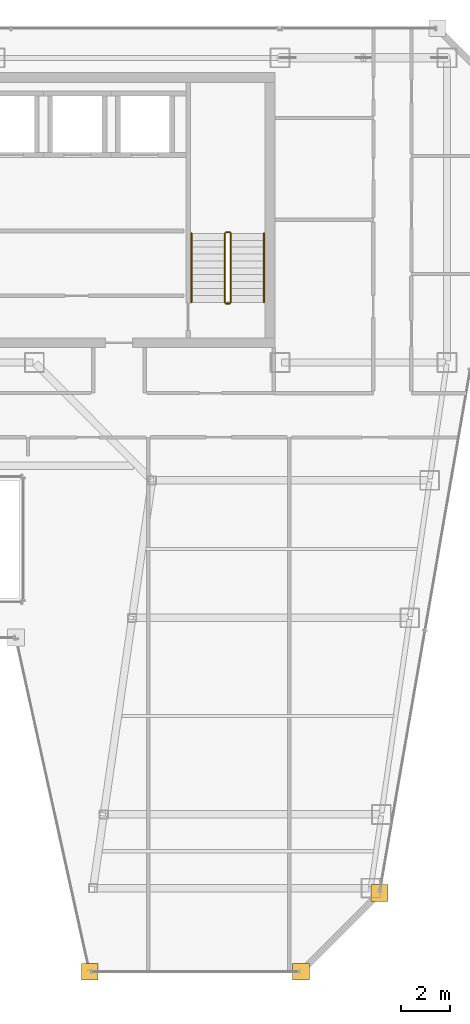
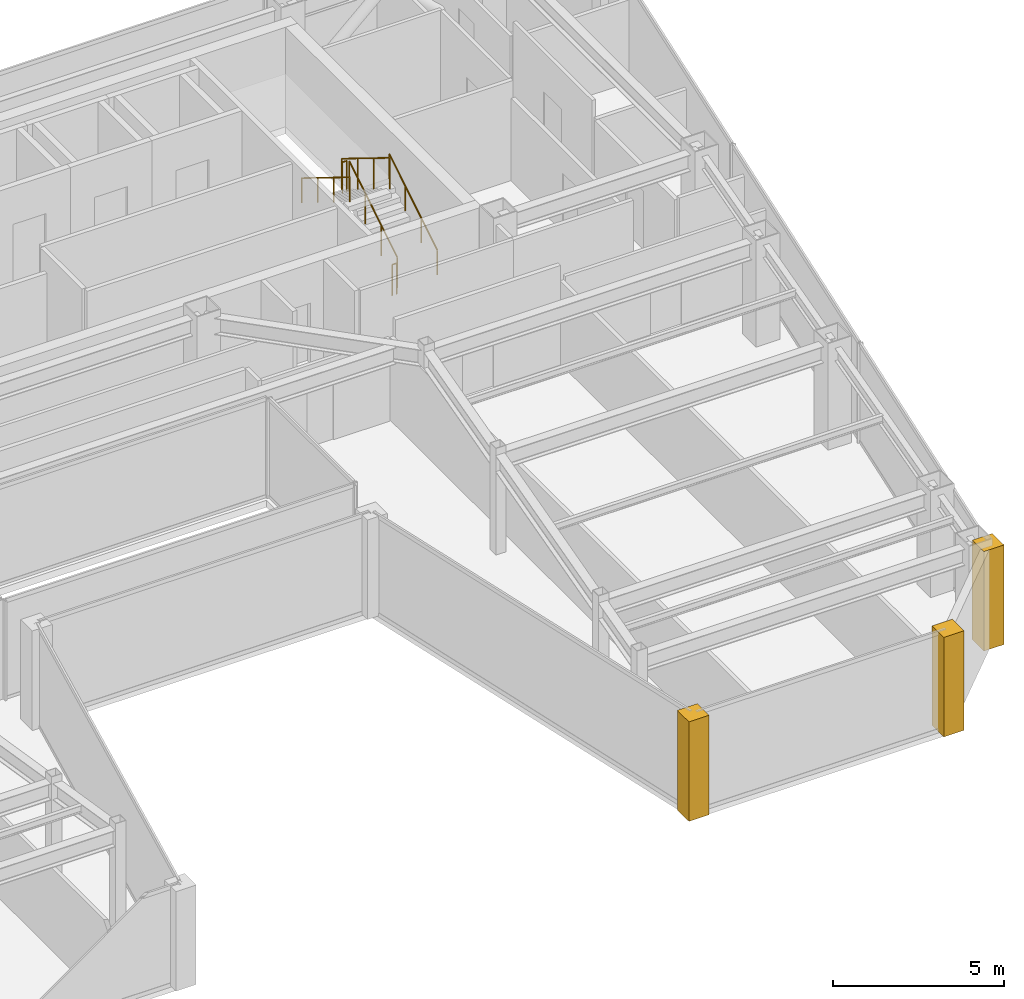
# One storey, part 31 of 32: 6 railings, 3 coverings.
"""IFC4 building model written with IfcOpenShell, lengths in metres."""

from ifc_helpers import new_model, si_unit, direction, frame, origin, origin_2d, place, context, subcontext, project, spatial, polyline, circle, outline, extrude, material, layer, layer_set, type_object, element, save


model = new_model("IFC4")

# Units and contexts
model_context = context("Model", 3, precision=1e-05, world=origin(), true_north=direction((0.0, 1.0)))
body_context = subcontext(model_context, "Body", "Model", "MODEL_VIEW")
ifc_project = project(units=[si_unit("LENGTHUNIT", "METRE"), si_unit("AREAUNIT", "SQUARE_METRE"), si_unit("VOLUMEUNIT", "CUBIC_METRE"), si_unit("PLANEANGLEUNIT", "RADIAN"), si_unit("MASSUNIT", "GRAM", prefix="KILO")], contexts=[model_context])

# Site, building, storey
site_placement = place(None, origin())
site = spatial("IfcSite", under=ifc_project, at=site_placement, CompositionType="ELEMENT")
building_placement = place(site_placement, origin())
building = spatial("IfcBuilding", under=site, at=building_placement, Name="Saevonmaru Cultural Tower", CompositionType="ELEMENT")
storey_placement = place(building_placement, frame((0.0, 0.0, 242.0)))
storey = spatial("IfcBuildingStorey", under=building, at=storey_placement, Name="L56", CompositionType="ELEMENT", Elevation=242.0)

# Coverings
ifc_material_1 = material(Name="Satin Bronze Anodised Aluminium", Category="aluminium")
ifc_layer = layer(ifc_material_1, 0.679931640625, Name="Satin Bronze Anodised Aluminium")
ifc_layer_set = layer_set([ifc_layer], Name="Satin Bronze Anodised Aluminium")
covering_type = type_object("IfcCoveringType", Name="CV-CORNER-CLAD", PredefinedType="CLADDING", material=ifc_layer_set)
covering_1_placement = place(storey_placement, origin())
element("IfcCovering", 1, at=covering_1_placement, inside=storey, type_object=covering_type, Name="L56 Tower Bronze Corner Cladding Pier 6", PredefinedType="CLADDING", context=body_context, shape_type="SweptSolid", body=[
    extrude(outline(polyline([(38.31298828125, 17.260009765625), (38.992919921875, 17.260009765625), (38.992919921875, 17.93994140625), (38.31298828125, 17.93994140625), (38.31298828125, 17.260009765625)])), origin(), (0.0, 0.0, 1.0), 3.550048828125),
])
covering_2_placement = place(storey_placement, origin())
element("IfcCovering", 2, at=covering_2_placement, inside=storey, type_object=covering_type, Name="L56 Tower Bronze Corner Cladding Pier 7", PredefinedType="CLADDING", context=body_context, shape_type="SweptSolid", body=[
    extrude(outline(polyline([(46.9130859375, 17.260009765625), (47.593017578125, 17.260009765625), (47.593017578125, 17.93994140625), (46.9130859375, 17.93994140625), (46.9130859375, 17.260009765625)])), origin(), (0.0, 0.0, 1.0), 3.550048828125),
])
covering_3_placement = place(storey_placement, origin())
element("IfcCovering", 3, at=covering_3_placement, inside=storey, type_object=covering_type, Name="L56 Tower Bronze Corner Cladding Pier 8", PredefinedType="CLADDING", context=body_context, shape_type="SweptSolid", body=[
    extrude(outline(polyline([(50.113037109375, 20.4599609375), (50.79296875, 20.4599609375), (50.79296875, 21.139892578125), (50.113037109375, 21.139892578125), (50.113037109375, 20.4599609375)])), origin(), (0.0, 0.0, 1.0), 3.550048828125),
])

# Railings
ifc_material_2 = material(Name="Architectural Painted Steel", Category="steel")
railing_type_1 = type_object("IfcRailingType", Name="RL-STAIR-GUARD", PredefinedType="GUARDRAIL", material=ifc_material_2)
railing_1_placement = place(storey_placement, frame((44.39990234375, 44.85009765625, 0.172607421875)))
element("IfcRailing", 4, at=railing_1_placement, inside=storey, type_object=railing_type_1, Name="L56 ST-2 stair guard 1", PredefinedType="GUARDRAIL", context=body_context, shape_type="SweptSolid", body=[
    extrude(circle(Radius=0.02392578125, at=origin_2d()), frame((0.0, 0.0, 1.09619140625), z_axis=(0.0, 0.851069175582, 0.525053576669), x_axis=(-1.0, 0.0, 0.0)), (0.0, 0.0, 1.0), 3.289794921875),
    extrude(circle(Radius=0.02099609375, at=origin_2d()), origin(), (0.0, 0.0, 1.0), 1.072021484375),
    extrude(circle(Radius=0.02099609375, at=origin_2d()), frame((0.0, 0.933349609375, 0.57568359375)), (0.0, 0.0, 1.0), 1.072021484375),
    extrude(circle(Radius=0.02099609375, at=origin_2d()), frame((0.0, 1.866455078125, 1.151611328125)), (0.0, 0.0, 1.0), 1.072021484375),
    extrude(circle(Radius=0.02099609375, at=origin_2d()), frame((0.0, 2.7998046875, 1.727294921875)), (0.0, 0.0, 1.0), 1.072021484375),
])
railing_2_placement = place(storey_placement, frame((44.35009765625, 47.699951171875, 1.89990234375)))
element("IfcRailing", 5, at=railing_2_placement, inside=storey, type_object=railing_type_1, Name="L56 ST-2 stair guard 2", PredefinedType="GUARDRAIL", context=body_context, shape_type="SweptSolid", body=[
    extrude(circle(Radius=0.02392578125, at=origin_2d()), frame((0.0, 0.0, 1.09619140625), z_axis=(-1.0, 0.0, 0.0), x_axis=(0.0, -1.0, 0.0)), (0.0, 0.0, 1.0), 0.150146484375),
    extrude(circle(Radius=0.02099609375, at=origin_2d()), origin(), (0.0, 0.0, 1.0), 1.072021484375),
    extrude(circle(Radius=0.02099609375, at=origin_2d()), frame((-0.150146484375, 0.0, 0.0)), (0.0, 0.0, 1.0), 1.072021484375),
])
railing_3_placement = place(storey_placement, frame((44.14990234375, 47.64990234375, 2.07275390625)))
element("IfcRailing", 6, at=railing_3_placement, inside=storey, type_object=railing_type_1, Name="L56 ST-2 stair guard 3", PredefinedType="GUARDRAIL", context=body_context, shape_type="SweptSolid", body=[
    extrude(circle(Radius=0.02392578125, at=origin_2d()), frame((0.0, 0.0, 1.09619140625), z_axis=(0.0, -0.851069175582, 0.525053576669), x_axis=(1.0, 0.0, 0.0)), (0.0, 0.0, 1.0), 3.289794921875),
    extrude(circle(Radius=0.02099609375, at=origin_2d()), origin(), (0.0, 0.0, 1.0), 1.072021484375),
    extrude(circle(Radius=0.02099609375, at=origin_2d()), frame((0.0, -0.933349609375, 0.57568359375)), (0.0, 0.0, 1.0), 1.072021484375),
    extrude(circle(Radius=0.02099609375, at=origin_2d()), frame((0.0, -1.866455078125, 1.151611328125)), (0.0, 0.0, 1.0), 1.072021484375),
    extrude(circle(Radius=0.02099609375, at=origin_2d()), frame((0.0, -2.7998046875, 1.727294921875)), (0.0, 0.0, 1.0), 1.072021484375),
])
railing_4_placement = place(storey_placement, frame((44.35009765625, 44.800048828125, 0.0)))
element("IfcRailing", 7, at=railing_4_placement, inside=storey, type_object=railing_type_1, Name="L56 ST-2 stair guard 4", PredefinedType="GUARDRAIL", context=body_context, shape_type="SweptSolid", body=[
    extrude(circle(Radius=0.02392578125, at=origin_2d()), frame((0.0, 0.0, 1.09619140625), z_axis=(-1.0, 0.0, 0.0), x_axis=(0.0, -1.0, 0.0)), (0.0, 0.0, 1.0), 0.150146484375),
    extrude(circle(Radius=0.02099609375, at=origin_2d()), origin(), (0.0, 0.0, 1.0), 1.072021484375),
    extrude(circle(Radius=0.02099609375, at=origin_2d()), frame((-0.150146484375, 0.0, 0.0)), (0.0, 0.0, 1.0), 1.072021484375),
])
railing_type_2 = type_object("IfcRailingType", Name="RL-STAIR-HANDRAIL", PredefinedType="HANDRAIL", material=ifc_material_1)
railing_5_placement = place(storey_placement, frame((45.75, 44.85009765625, 0.172607421875)))
element("IfcRailing", 8, at=railing_5_placement, inside=storey, type_object=railing_type_2, Name="L56 ST-2 stair handrail 1", PredefinedType="HANDRAIL", context=body_context, shape_type="SweptSolid", body=[
    extrude(circle(Radius=0.02392578125, at=origin_2d()), frame((0.0, 0.0, 0.8759765625), z_axis=(0.0, 0.851069175582, 0.525053576669), x_axis=(-1.0, 0.0, 0.0)), (0.0, 0.0, 1.0), 3.289794921875),
    extrude(circle(Radius=0.02099609375, at=origin_2d()), origin(), (0.0, 0.0, 1.0), 0.851806640625),
    extrude(circle(Radius=0.02099609375, at=origin_2d()), frame((0.0, 0.933349609375, 0.57568359375)), (0.0, 0.0, 1.0), 0.851806640625),
    extrude(circle(Radius=0.02099609375, at=origin_2d()), frame((0.0, 1.866455078125, 1.151611328125)), (0.0, 0.0, 1.0), 0.851806640625),
    extrude(circle(Radius=0.02099609375, at=origin_2d()), frame((0.0, 2.7998046875, 1.727294921875)), (0.0, 0.0, 1.0), 0.851806640625),
])
railing_6_placement = place(storey_placement, frame((42.800048828125, 47.64990234375, 2.07275390625)))
element("IfcRailing", 9, at=railing_6_placement, inside=storey, type_object=railing_type_2, Name="L56 ST-2 stair handrail 2", PredefinedType="HANDRAIL", context=body_context, shape_type="SweptSolid", body=[
    extrude(circle(Radius=0.02392578125, at=origin_2d()), frame((0.0, 0.0, 0.8759765625), z_axis=(0.0, -0.851069175582, 0.525053576669), x_axis=(1.0, 0.0, 0.0)), (0.0, 0.0, 1.0), 3.289794921875),
    extrude(circle(Radius=0.02099609375, at=origin_2d()), origin(), (0.0, 0.0, 1.0), 0.851806640625),
    extrude(circle(Radius=0.02099609375, at=origin_2d()), frame((0.0, -0.933349609375, 0.57568359375)), (0.0, 0.0, 1.0), 0.851806640625),
    extrude(circle(Radius=0.02099609375, at=origin_2d()), frame((0.0, -1.866455078125, 1.151611328125)), (0.0, 0.0, 1.0), 0.851806640625),
    extrude(circle(Radius=0.02099609375, at=origin_2d()), frame((0.0, -2.7998046875, 1.727294921875)), (0.0, 0.0, 1.0), 0.851806640625),
])

save(model, "model.ifc")
